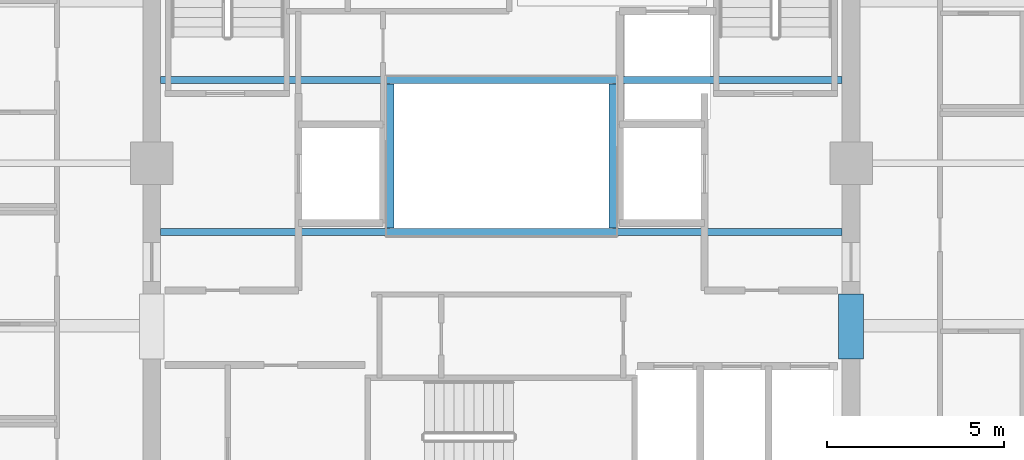
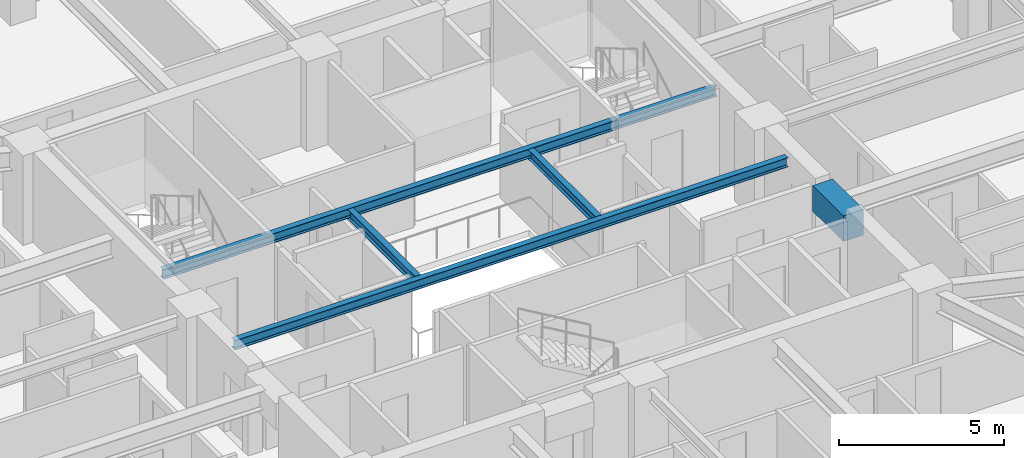
# One storey, part 11 of 37: 5 beams.
"""IFC4 building model written with IfcOpenShell, lengths in metres."""

from ifc_helpers import new_model, si_unit, direction, frame, origin, origin_2d, place, context, subcontext, project, spatial, rectangle, i_section, extrude, material, material_profile, profile_set, type_object, element, save


model = new_model("IFC4")

# Units and contexts
model_context = context("Model", 3, precision=1e-05, world=origin(), true_north=direction((0.0, 1.0)))
body_context = subcontext(model_context, "Body", "Model", "MODEL_VIEW")
ifc_project = project(units=[si_unit("LENGTHUNIT", "METRE"), si_unit("AREAUNIT", "SQUARE_METRE"), si_unit("VOLUMEUNIT", "CUBIC_METRE"), si_unit("PLANEANGLEUNIT", "RADIAN"), si_unit("MASSUNIT", "GRAM", prefix="KILO")], contexts=[model_context])

# Site, building, storey
site_placement = place(None, origin())
site = spatial("IfcSite", under=ifc_project, at=site_placement, CompositionType="ELEMENT")
building_placement = place(site_placement, origin())
building = spatial("IfcBuilding", under=site, at=building_placement, Name="Kolvaren Belvedere", CompositionType="ELEMENT")
storey_placement = place(building_placement, frame((0.0, 0.0, 173.39990234375)))
storey = spatial("IfcBuildingStorey", under=building, at=storey_placement, Name="L50", CompositionType="ELEMENT", Elevation=173.39990234375)

# Beams
ifc_material_1 = material(Name="Structural steel ASTM A992 Grade 50", Category="steel")
ifc_material_profile_1 = material_profile(ifc_material_1, i_section(OverallWidth=0.2041015625, OverallDepth=0.35009765625, WebThickness=0.008544921875, FlangeThickness=0.01513671875, FilletRadius=0.013916015625, at=origin_2d()), Name="W14X48")
ifc_profile_set_1 = profile_set([ifc_material_profile_1], Name="Structural steel ASTM A992 Grade 50")
beam_type_1 = type_object("IfcBeamType", Name="BM-ATRIUM-W14X48", PredefinedType="BEAM", material=ifc_profile_set_1)
for number, where, z_axis, x_axis, name in (
    (1, (-9.64990234375, -1.949951171875, 2.905029296875), (1.0, 0.0, 0.0), (0.0, 1.0, 0.0), "L50 Central Atrium South Girder AS"),
    (2, (-9.64990234375, 2.35009765625, 2.905029296875), (1.0, 0.0, 0.0), (0.0, 1.0, 0.0), "L50 Central Atrium North Girder AN"),
):
    element("IfcBeam", number, at=place(storey_placement, frame(where, z_axis=z_axis, x_axis=x_axis)), inside=storey, type_object=beam_type_1, Name=name, PredefinedType="BEAM", context=body_context, shape_type="SweptSolid", body=[
        extrude(i_section(OverallWidth=0.2041015625, OverallDepth=0.35009765625, WebThickness=0.008544921875, FlangeThickness=0.01513671875, FilletRadius=0.013916015625, at=origin_2d()), origin(), (0.0, 0.0, 1.0), 19.2998046875),
    ])
for number, where, z_axis, x_axis, name in (
    (3, (-3.14990234375, -1.840087890625, 2.905029296875), (0.0, 1.0, 0.0), (-1.0, 0.0, 0.0), "L50 Central Atrium West Edge Beam AW"),
    (4, (3.14990234375, -1.840087890625, 2.905029296875), (0.0, 1.0, 0.0), (-1.0, 0.0, 0.0), "L50 Central Atrium East Edge Beam AE"),
):
    element("IfcBeam", number, at=place(storey_placement, frame(where, z_axis=z_axis, x_axis=x_axis)), inside=storey, type_object=beam_type_1, Name=name, PredefinedType="BEAM", context=body_context, shape_type="SweptSolid", body=[
        extrude(i_section(OverallWidth=0.2041015625, OverallDepth=0.35009765625, WebThickness=0.008544921875, FlangeThickness=0.01513671875, FilletRadius=0.013916015625, at=origin_2d()), origin(), (0.0, 0.0, 1.0), 4.080078125),
    ])
ifc_material_2 = material(Name="Concrete C60/75", Category="concrete")
ifc_material_profile_2 = material_profile(ifc_material_2, rectangle(XDim=0.699951171875, YDim=0.949951171875, at=origin_2d()), Name="RC 700X950")
ifc_profile_set_2 = profile_set([ifc_material_profile_2], Name="Concrete C60/75")
beam_type_2 = type_object("IfcBeamType", Name="BM-LINT-950", PredefinedType="LINTEL", material=ifc_profile_set_2)
beam_placement = place(storey_placement, frame((9.89990234375, -5.550048828125, 2.60498046875), z_axis=(0.0, 1.0, 0.0), x_axis=(-1.0, 0.0, 0.0)))
element("IfcBeam", 5, at=beam_placement, inside=storey, type_object=beam_type_2, Name="L50 East Core Coupling Lintel", PredefinedType="LINTEL", context=body_context, shape_type="SweptSolid", body=[
    extrude(rectangle(XDim=0.699951171875, YDim=0.949951171875, at=origin_2d()), origin(), (0.0, 0.0, 1.0), 1.85009765625),
])

save(model, "model.ifc")
